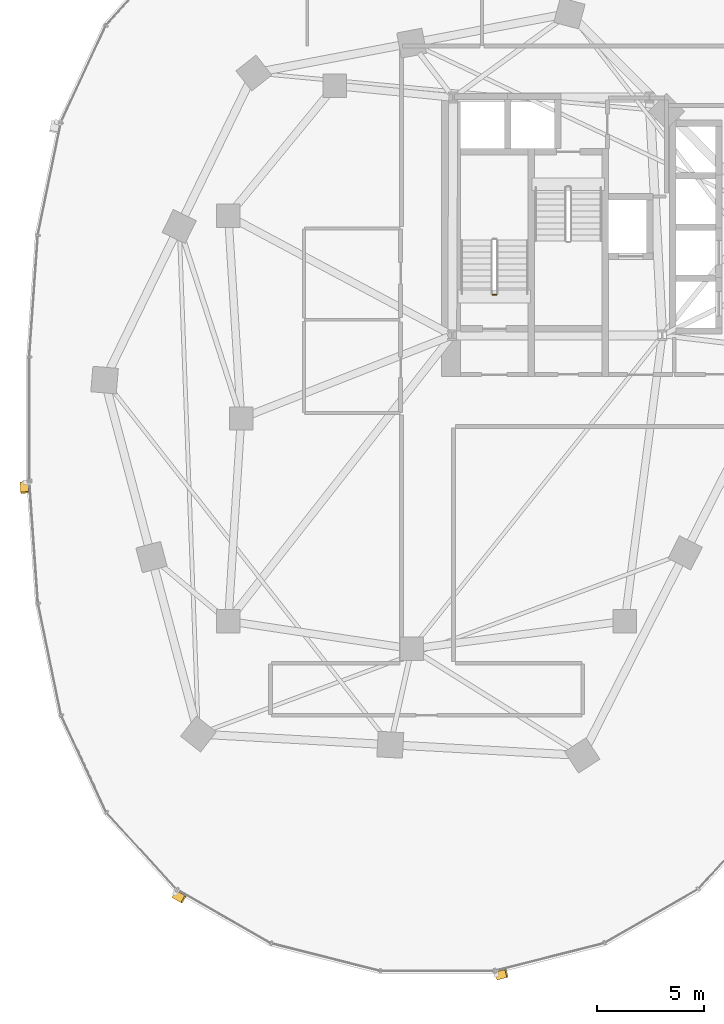
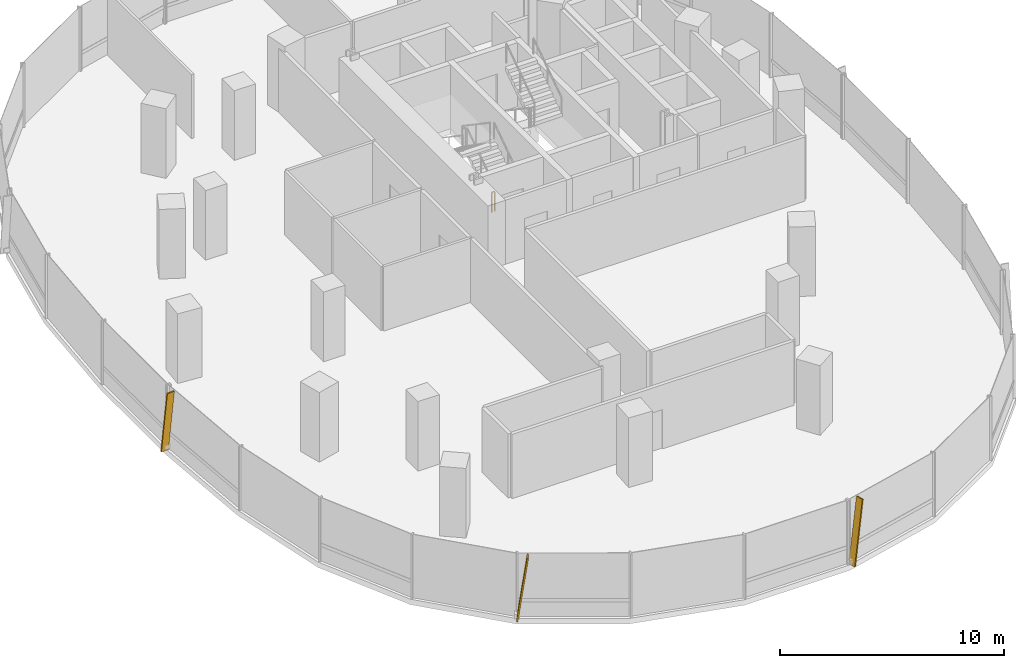
# One storey, part 17 of 21: 3 shading devices, 1 railing.
"""IFC4 building model written with IfcOpenShell, lengths in metres."""

from ifc_helpers import new_model, si_unit, direction, frame, origin, origin_2d, place, context, subcontext, project, spatial, rectangle, extrude, material, material_profile, profile_set, type_object, element, save


model = new_model("IFC4")

# Units and contexts
model_context = context("Model", 3, precision=1e-05, world=origin(), true_north=direction((0.0, 1.0)))
body_context = subcontext(model_context, "Body", "Model", "MODEL_VIEW")
ifc_project = project(units=[si_unit("LENGTHUNIT", "METRE"), si_unit("AREAUNIT", "SQUARE_METRE"), si_unit("VOLUMEUNIT", "CUBIC_METRE"), si_unit("PLANEANGLEUNIT", "RADIAN"), si_unit("MASSUNIT", "GRAM", prefix="KILO"), si_unit("THERMODYNAMICTEMPERATUREUNIT", "KELVIN"), si_unit("POWERUNIT", "WATT")], contexts=[model_context])

# Site, building, storey
site_placement = place(None, origin())
site = spatial("IfcSite", under=ifc_project, at=site_placement, CompositionType="ELEMENT")
building_placement = place(site_placement, origin())
building = spatial("IfcBuilding", under=site, at=building_placement, Name="Cundina Bronze Exchange", CompositionType="ELEMENT")
storey_placement = place(building_placement, frame((0.0, 0.0, 69.60009765625)))
storey = spatial("IfcBuildingStorey", under=building, at=storey_placement, Name="L17", CompositionType="ELEMENT", Elevation=69.60009765625)

# Railing
ifc_material_1 = material(Name="Steel ASTM A36 Painted", Category="steel")
railing_type = type_object("IfcRailingType", Name="RLG-STG-1100", PredefinedType="GUARDRAIL", material=ifc_material_1)
railing_placement = place(storey_placement, frame((-29.239990234375, 5.800048828125, 0.0)))
element("IfcRailing", 1, at=railing_placement, inside=storey, type_object=railing_type, Name="L17 ST-W1 stair guard 4", PredefinedType="GUARDRAIL", context=body_context, shape_type="SweptSolid", body=[
    extrude(rectangle(XDim=0.048095703125, YDim=0.048095703125, at=origin_2d()), frame((0.0, 0.0, 1.076171875), z_axis=(-1.0, 0.0, 0.0), x_axis=(0.0, -1.0, 0.0)), (0.0, 0.0, 1.0), 0.159912109375),
    extrude(rectangle(XDim=0.0419921875, YDim=0.0419921875, at=origin_2d()), origin(), (0.0, 0.0, 1.0), 1.052001953125),
    extrude(rectangle(XDim=0.0419921875, YDim=0.0419921875, at=origin_2d()), frame((-0.159912109375, 0.0, 0.0)), (0.0, 0.0, 1.0), 1.052001953125),
])

# Shading devices
ifc_material_2 = material(Name="Anodised Bronze Aluminium 6063-T6", Category="aluminium")
ifc_material_profile = material_profile(ifc_material_2, rectangle(XDim=0.070068359375, YDim=0.3798828125, at=origin_2d()), Name="FIN70X380", Category="aluminium")
ifc_profile_set = profile_set([ifc_material_profile], Name="Anodised Bronze Aluminium 6063-T6")
shading_device_type = type_object("IfcShadingDeviceType", Name="SHD-FIN-BRZ380", PredefinedType="USERDEFINED", material=ifc_profile_set)
for number, where, z_axis, x_axis, name in (
    (2, (-51.3740234375, -2.993896484375, 0.02001953125), (0.009645159174, -0.137059109714, 0.990515911709), (-0.06953288269, 0.988072340253, 0.137398066402), "L17 Diagonal Bronze Solar Fin 1"),
    (3, (-44.314208984375, -22.314208984375, 0.02001953125), (0.119166378275, -0.06842456559, 0.990513731915), (-0.85898178632, 0.493221799887, 0.137413779831), "L17 Diagonal Bronze Solar Fin 5"),
    (4, (-29.212646484375, -26.138427734375, 0.02001953125), (0.133214830938, 0.033688115694, 0.990514472221), (-0.960284642503, -0.242842181368, 0.137408443412), "L17 Diagonal Bronze Solar Fin 1"),
):
    element("IfcShadingDevice", number, at=place(storey_placement, frame(where, z_axis=z_axis, x_axis=x_axis)), inside=storey, type_object=shading_device_type, Name=name, ObjectType="FIN", PredefinedType="USERDEFINED", context=body_context, shape_type="SweptSolid", body=[
        extrude(rectangle(XDim=0.070068359375, YDim=0.3798828125, at=origin_2d()), origin(), (0.0, 0.0, 1.0), 3.4931640625),
    ])

save(model, "model.ifc")
